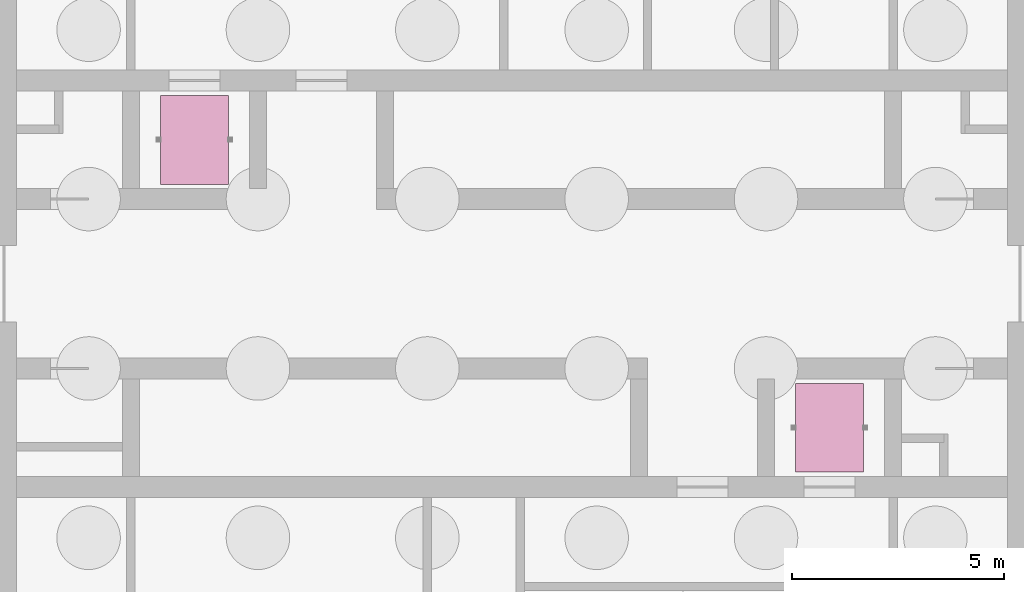
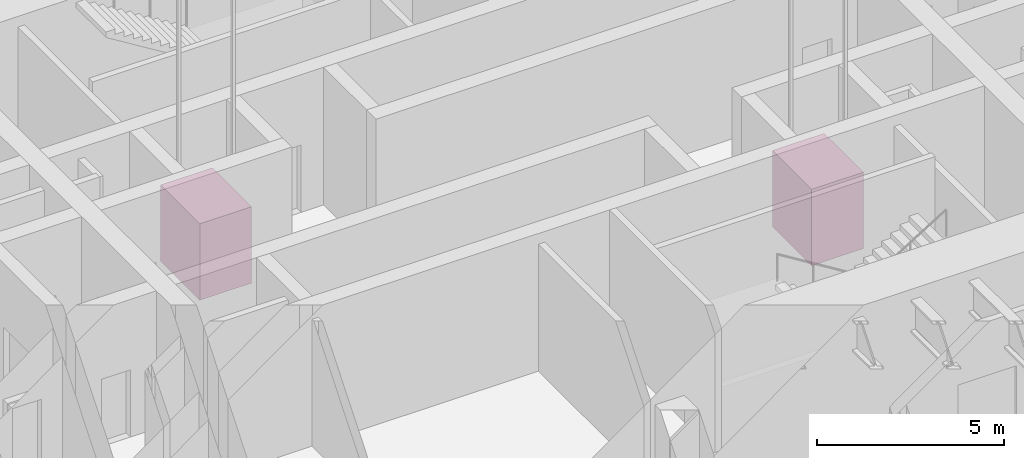
# One storey, part 15 of 17: 2 transport elements.
"""IFC4 building model written with IfcOpenShell, lengths in metres."""

from ifc_helpers import new_model, si_unit, direction, frame, origin, origin_2d, place, context, subcontext, project, spatial, rectangle, extrude, material, type_object, element, save


model = new_model("IFC4")

# Units and contexts
model_context = context("Model", 3, precision=1e-05, world=origin(), true_north=direction((0.0, 1.0)))
body_context = subcontext(model_context, "Body", "Model", "MODEL_VIEW")
ifc_project = project(units=[si_unit("LENGTHUNIT", "METRE"), si_unit("AREAUNIT", "SQUARE_METRE"), si_unit("VOLUMEUNIT", "CUBIC_METRE"), si_unit("PLANEANGLEUNIT", "RADIAN"), si_unit("MASSUNIT", "GRAM", prefix="KILO")], contexts=[model_context])

# Site, building, storey
site_placement = place(None, origin())
site = spatial("IfcSite", under=ifc_project, at=site_placement, CompositionType="ELEMENT")
building_placement = place(site_placement, origin())
building = spatial("IfcBuilding", under=site, at=building_placement, Name="Tarfa Lantern Tower", CompositionType="ELEMENT")
storey_placement = place(building_placement, frame((0.0, 0.0, -9.0)))
storey = spatial("IfcBuildingStorey", under=building, at=storey_placement, Name="B2", CompositionType="ELEMENT", Elevation=-9.0)

# Transport elements
ifc_material = material(Name="Steel lift car", Category="steel")
transport_element_type = type_object("IfcTransportElementType", Name="LT4 FIREFIGHTING LIFT 1600 KG", PredefinedType="ELEVATOR", material=ifc_material)
for number, where, z_axis, x_axis, name in (
    (1, (-7.5, 3.39990234375, 0.0), (0.0, 0.0, 1.0), (1.0, 0.0, 0.0), "Lift FL1"),
    (2, (7.5, -3.39990234375, 0.0), (0.0, 0.0, 1.0), (1.0, 0.0, 0.0), "Lift FL2"),
):
    element("IfcTransportElement", number, at=place(storey_placement, frame(where, z_axis=z_axis, x_axis=x_axis)), inside=storey, type_object=transport_element_type, Name=name, PredefinedType="ELEVATOR", context=body_context, shape_type="SweptSolid", body=[
        extrude(rectangle(XDim=1.60009765625, YDim=2.10009765625, at=origin_2d()), origin(), (0.0, 0.0, 1.0), 2.5),
    ])

save(model, "model.ifc")
